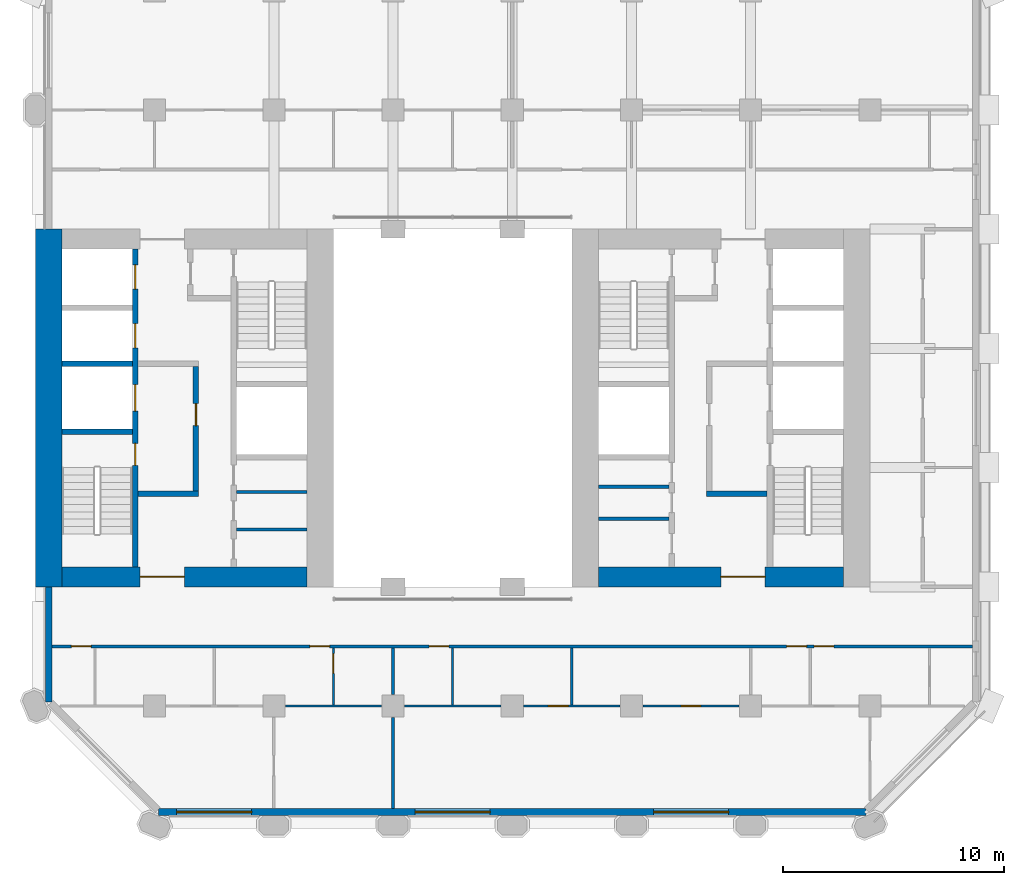
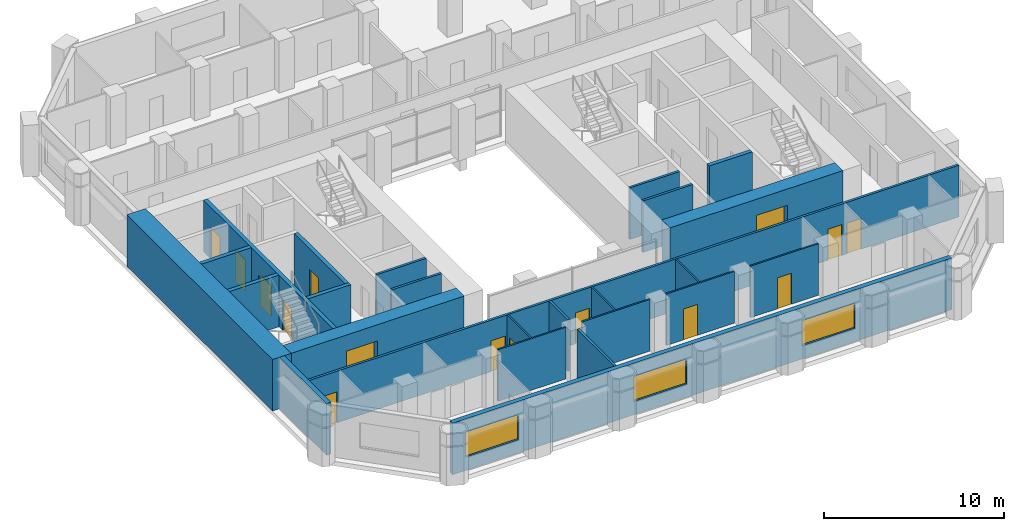
# One storey, part 4 of 10: 25 walls, 15 doors, 3 windows, 18 openings.
"""IFC4 building model written with IfcOpenShell, lengths in metres."""

from ifc_helpers import new_model, si_unit, direction, frame, frame_2d, origin, place, context, subcontext, project, spatial, rectangle, extrude, material, layer, layer_set, type_object, element, fill, save


model = new_model("IFC4")

# Units and contexts
model_context = context("Model", 3, precision=1e-05, world=origin(), true_north=direction((0.0, 1.0)))
body_context = subcontext(model_context, "Body", "Model", "MODEL_VIEW")
ifc_project = project(units=[si_unit("LENGTHUNIT", "METRE"), si_unit("AREAUNIT", "SQUARE_METRE"), si_unit("VOLUMEUNIT", "CUBIC_METRE"), si_unit("PLANEANGLEUNIT", "RADIAN"), si_unit("MASSUNIT", "GRAM", prefix="KILO")], contexts=[model_context])

# Site, building, storey
site_placement = place(None, origin())
site = spatial("IfcSite", under=ifc_project, at=site_placement, CompositionType="ELEMENT")
building_placement = place(site_placement, origin())
building = spatial("IfcBuilding", under=site, at=building_placement, Name="Tabaq Tower and Sports Hall", CompositionType="ELEMENT")
storey_placement = place(building_placement, frame((0.0, 0.0, 87.800048828125)))
storey = spatial("IfcBuildingStorey", under=building, at=storey_placement, Name="L20", CompositionType="ELEMENT", Elevation=87.800048828125)

# Walls
ifc_material_1 = material(Name="Blockwork", Category="masonry")
ifc_layer_1 = layer(ifc_material_1, 0.14990234375)
ifc_layer_set_1 = layer_set([ifc_layer_1], Name="Core room partition 150 Blockwork")
wall_type_1 = type_object("IfcWallType", Name="Core room partition 150 Blockwork", PredefinedType="PARTITIONING", material=ifc_layer_set_1)
for number, where, z_axis, x_axis, name in (
    (1, (14.5, 18.797119140625, 0.0), (0.0, 0.0, 1.0), (1.0, 0.0, 0.0), "Core room partition W L20"),
    (2, (14.5, 20.493896484375, 0.0), (0.0, 0.0, 1.0), (1.0, 0.0, 0.0), "Core room partition W L20"),
):
    element("IfcWall", number, at=place(storey_placement, frame(where, z_axis=z_axis, x_axis=x_axis)), inside=storey, type_object=wall_type_1, Name=name, PredefinedType="PARTITIONING", context=body_context, shape_type="SweptSolid", body=[
        extrude(rectangle(XDim=3.199951171875, YDim=0.14990234375, at=frame_2d((1.60009765625, 0.0))), origin(), (0.0, 0.0, 1.0), 3.5),
    ])
for number, where, z_axis, x_axis, name in (
    (3, (30.89990234375, 19.282958984375, 0.0), (0.0, 0.0, 1.0), (1.0, 0.0, 0.0), "Core room partition E L20"),
    (4, (30.89990234375, 20.738037109375, 0.0), (0.0, 0.0, 1.0), (1.0, 0.0, 0.0), "Core room partition E L20"),
):
    element("IfcWall", number, at=place(storey_placement, frame(where, z_axis=z_axis, x_axis=x_axis)), inside=storey, type_object=wall_type_1, Name=name, PredefinedType="PARTITIONING", context=body_context, shape_type="SweptSolid", body=[
        extrude(rectangle(XDim=3.2001953125, YDim=0.14990234375, at=frame_2d((1.60009765625, 0.0))), origin(), (0.0, 0.0, 1.0), 3.5),
    ])
ifc_material_2 = material(Name="Concrete C60/75", Category="concrete")
ifc_layer_2 = layer(ifc_material_2, 1.199951171875)
ifc_layer_set_2 = layer_set([ifc_layer_2], Name="Core wall 1200 Concrete C60/75")
wall_type_2 = type_object("IfcWallType", Name="Core wall 1200 Concrete C60/75", PredefinedType="SOLIDWALL", material=ifc_layer_set_2)
wall_1_placement = place(storey_placement, frame((6.0, 16.199951171875, 0.0), z_axis=(0.0, 0.0, 1.0), x_axis=(0.0, 1.0, 0.0)))
element("IfcWall", 5, at=wall_1_placement, inside=storey, type_object=wall_type_2, Name="Core wall W L20", PredefinedType="SOLIDWALL", context=body_context, shape_type="SweptSolid", body=[
    extrude(rectangle(XDim=16.199951171875, YDim=1.199951171875, at=frame_2d((8.10009765625, 0.0))), origin(), (0.0, 0.0, 1.0), 3.5),
])

# Wall, opening, door
ifc_material_3 = material(Name="Concrete C60/75", Category="concrete")
ifc_layer_3 = layer(ifc_material_3, 0.89990234375)
ifc_layer_set_3 = layer_set([ifc_layer_3], Name="Core wall 900 Concrete C60/75")
wall_type_3 = type_object("IfcWallType", Name="Core wall 900 Concrete C60/75", PredefinedType="SOLIDWALL", material=ifc_layer_set_3)
wall_2_placement = place(storey_placement, frame((17.699951171875, 16.64990234375, 0.0), z_axis=(0.0, 0.0, 1.0), x_axis=(-1.0, 0.0, 0.0)))
wall_2 = element("IfcWall", 6, at=wall_2_placement, inside=storey, type_object=wall_type_3, Name="Core wall W L20", PredefinedType="SOLIDWALL", context=body_context, shape_type="SweptSolid", body=[
    extrude(rectangle(XDim=11.099853515625, YDim=0.89990234375, at=frame_2d((5.5498046875, 0.0))), origin(), (0.0, 0.0, 1.0), 3.5),
])
opening_1_placement = place(wall_2_placement, frame((5.550048828125, 0.0, 0.0)))
opening_1 = element("IfcOpeningElement", 7, at=opening_1_placement, cuts=wall_2, Name="Opening PD-WL20-01", PredefinedType="OPENING", context=body_context, shape_type="SweptSolid", body=[
    extrude(rectangle(XDim=2.0, YDim=2.39990234375, at=frame_2d((1.0, 1.199951171875))), frame((0.0, 0.449951171875, 0.0), z_axis=(0.0, -1.0, 0.0), x_axis=(1.0, 0.0, 0.0)), (0.0, 0.0, 1.0), 0.89990234375),
])
ifc_material_4 = material(Name="Steel fire door", Category="steel")
door_type_1 = type_object("IfcDoorType", Name="Core entrance door 2000", OperationType="DOUBLE_DOOR_SINGLE_SWING", PredefinedType="DOOR", material=ifc_material_4)
door_1_placement = place(opening_1_placement, origin())
door_1 = element("IfcDoor", 8, at=door_1_placement, inside=storey, type_object=door_type_1, Name="Core entrance south W L20", OperationType="DOUBLE_DOOR_SINGLE_SWING", OverallHeight=2.39990234375, OverallWidth=2.0, PredefinedType="DOOR", context=body_context, shape_type="SweptSolid", body=[
    extrude(rectangle(XDim=2.0, YDim=2.39990234375, at=frame_2d((1.0, 1.199951171875))), frame((0.0, 0.02490234375, 0.0), z_axis=(0.0, -1.0, 0.0), x_axis=(1.0, 0.0, 0.0)), (0.0, 0.0, 1.0), 0.050048828125),
])
fill(opening_1, door_1)

wall_3_placement = place(storey_placement, frame((42.0, 16.64990234375, 0.0), z_axis=(0.0, 0.0, 1.0), x_axis=(-1.0, 0.0, 0.0)))
wall_3 = element("IfcWall", 9, at=wall_3_placement, inside=storey, type_object=wall_type_3, Name="Core wall E L20", PredefinedType="SOLIDWALL", context=body_context, shape_type="SweptSolid", body=[
    extrude(rectangle(XDim=11.10009765625, YDim=0.89990234375, at=frame_2d((5.550048828125, 0.0))), origin(), (0.0, 0.0, 1.0), 3.5),
])
opening_2_placement = place(wall_3_placement, frame((3.550048828125, 0.0, 0.0)))
opening_2 = element("IfcOpeningElement", 10, at=opening_2_placement, cuts=wall_3, Name="Opening PD-EL20-01", PredefinedType="OPENING", context=body_context, shape_type="SweptSolid", body=[
    extrude(rectangle(XDim=2.0, YDim=2.39990234375, at=frame_2d((1.0, 1.199951171875))), frame((0.0, 0.449951171875, 0.0), z_axis=(0.0, -1.0, 0.0), x_axis=(1.0, 0.0, 0.0)), (0.0, 0.0, 1.0), 0.89990234375),
])
door_2_placement = place(opening_2_placement, origin())
door_2 = element("IfcDoor", 11, at=door_2_placement, inside=storey, type_object=door_type_1, Name="Core entrance south E L20", OperationType="DOUBLE_DOOR_SINGLE_SWING", OverallHeight=2.39990234375, OverallWidth=2.0, PredefinedType="DOOR", context=body_context, shape_type="SweptSolid", body=[
    extrude(rectangle(XDim=2.0, YDim=2.39990234375, at=frame_2d((1.0, 1.199951171875))), frame((0.0, 0.02490234375, 0.0), z_axis=(0.0, -1.0, 0.0), x_axis=(1.0, 0.0, 0.0)), (0.0, 0.0, 1.0), 0.050048828125),
])
fill(opening_2, door_2)

ifc_material_5 = material(Name="Gypsum board on steel studs", Category="steel")
ifc_layer_4 = layer(ifc_material_5, 0.10009765625)
ifc_layer_set_4 = layer_set([ifc_layer_4], Name="Partition 100 Gypsum board")
wall_type_4 = type_object("IfcWallType", Name="Partition 100 Gypsum board", PredefinedType="PARTITIONING", material=ifc_layer_set_4)
wall_4_placement = place(storey_placement, frame((18.89990234375, 10.85009765625, 0.0), z_axis=(0.0, 0.0, 1.0), x_axis=(0.0, 1.0, 0.0)))
wall_4 = element("IfcWall", 12, at=wall_4_placement, inside=storey, type_object=wall_type_4, Name="Partition wall L20", PredefinedType="PARTITIONING", context=body_context, shape_type="SweptSolid", body=[
    extrude(rectangle(XDim=2.574951171875, YDim=0.10009765625, at=frame_2d((1.28759765625, 0.0))), origin(), (0.0, 0.0, 1.0), 3.5),
])
opening_3_placement = place(wall_4_placement, frame((1.425048828125, 0.0, 0.0)))
opening_3 = element("IfcOpeningElement", 13, at=opening_3_placement, cuts=wall_4, Name="Opening L20-018", PredefinedType="OPENING", context=body_context, shape_type="SweptSolid", body=[
    extrude(rectangle(XDim=0.89990234375, YDim=2.10009765625, at=frame_2d((0.449951171875, 1.050048828125))), frame((0.0, 0.050048828125, 0.0), z_axis=(0.0, -1.0, 0.0), x_axis=(1.0, 0.0, 0.0)), (0.0, 0.0, 1.0), 0.10009765625),
])
ifc_material_6 = material(Name="Timber leaf in steel frame", Category="steel")
door_type_2 = type_object("IfcDoorType", Name="Internal door 900 right hand", OperationType="SINGLE_SWING_RIGHT", PredefinedType="DOOR", material=ifc_material_6)
door_3_placement = place(opening_3_placement, origin())
door_3 = element("IfcDoor", 14, at=door_3_placement, inside=storey, type_object=door_type_2, Name="Internal door L20-018", OperationType="SINGLE_SWING_RIGHT", OverallHeight=2.10009765625, OverallWidth=0.89990234375, PredefinedType="DOOR", context=body_context, shape_type="SweptSolid", body=[
    extrude(rectangle(XDim=0.89990234375, YDim=2.10009765625, at=frame_2d((0.449951171875, 1.050048828125))), frame((0.0, 0.02490234375, 0.0), z_axis=(0.0, -1.0, 0.0), x_axis=(1.0, 0.0, 0.0)), (0.0, 0.0, 1.0), 0.050048828125),
])
fill(opening_3, door_3)

# Walls
wall_5_placement = place(storey_placement, frame((16.719970703125, 10.800048828125, 0.0), z_axis=(0.0, 0.0, 1.0), x_axis=(1.0, 0.0, 0.0)))
element("IfcWall", 15, at=wall_5_placement, inside=storey, type_object=wall_type_4, Name="Partition wall L20", PredefinedType="PARTITIONING", context=body_context, shape_type="SweptSolid", body=[
    extrude(rectangle(XDim=4.360107421875, YDim=0.10009765625, at=frame_2d((2.18017578125, 0.0))), origin(), (0.0, 0.0, 1.0), 3.5),
])
wall_6_placement = place(storey_placement, frame((24.300048828125, 10.85009765625, 0.0), z_axis=(0.0, 0.0, 1.0), x_axis=(0.0, 1.0, 0.0)))
element("IfcWall", 16, at=wall_6_placement, inside=storey, type_object=wall_type_4, Name="Partition wall L20", PredefinedType="PARTITIONING", context=body_context, shape_type="SweptSolid", body=[
    extrude(rectangle(XDim=2.574951171875, YDim=0.10009765625, at=frame_2d((1.28759765625, 0.0))), origin(), (0.0, 0.0, 1.0), 3.5),
])
wall_7_placement = place(storey_placement, frame((22.1201171875, 10.800048828125, 0.0), z_axis=(0.0, 0.0, 1.0), x_axis=(1.0, 0.0, 0.0)))
element("IfcWall", 17, at=wall_7_placement, inside=storey, type_object=wall_type_4, Name="Partition wall L20", PredefinedType="PARTITIONING", context=body_context, shape_type="SweptSolid", body=[
    extrude(rectangle(XDim=4.35986328125, YDim=0.10009765625, at=frame_2d((2.179931640625, 0.0))), origin(), (0.0, 0.0, 1.0), 3.5),
])
wall_8_placement = place(storey_placement, frame((29.699951171875, 10.85009765625, 0.0), z_axis=(0.0, 0.0, 1.0), x_axis=(0.0, 1.0, 0.0)))
element("IfcWall", 18, at=wall_8_placement, inside=storey, type_object=wall_type_4, Name="Partition wall L20", PredefinedType="PARTITIONING", context=body_context, shape_type="SweptSolid", body=[
    extrude(rectangle(XDim=2.574951171875, YDim=0.10009765625, at=frame_2d((1.28759765625, 0.0))), origin(), (0.0, 0.0, 1.0), 3.5),
])

# Wall, opening, door
wall_9_placement = place(storey_placement, frame((27.52001953125, 10.800048828125, 0.0), z_axis=(0.0, 0.0, 1.0), x_axis=(1.0, 0.0, 0.0)))
wall_9 = element("IfcWall", 19, at=wall_9_placement, inside=storey, type_object=wall_type_4, Name="Partition wall L20", PredefinedType="PARTITIONING", context=body_context, shape_type="SweptSolid", body=[
    extrude(rectangle(XDim=4.35986328125, YDim=0.10009765625, at=frame_2d((2.179931640625, 0.0))), origin(), (0.0, 0.0, 1.0), 3.5),
])
opening_4_placement = place(wall_9_placement, frame((1.110107421875, 0.0, 0.0)))
opening_4 = element("IfcOpeningElement", 20, at=opening_4_placement, cuts=wall_9, Name="Opening L20-020", PredefinedType="OPENING", context=body_context, shape_type="SweptSolid", body=[
    extrude(rectangle(XDim=0.89990234375, YDim=2.10009765625, at=frame_2d((0.449951171875, 1.050048828125))), frame((0.0, 0.050048828125, 0.0), z_axis=(0.0, -1.0, 0.0), x_axis=(1.0, 0.0, 0.0)), (0.0, 0.0, 1.0), 0.10009765625),
])
ifc_material_7 = material(Name="Timber leaf in steel frame", Category="steel")
door_type_3 = type_object("IfcDoorType", Name="Internal door 900 left hand", OperationType="SINGLE_SWING_LEFT", PredefinedType="DOOR", material=ifc_material_7)
door_4_placement = place(opening_4_placement, origin())
door_4 = element("IfcDoor", 21, at=door_4_placement, inside=storey, type_object=door_type_3, Name="Internal door L20-020", OperationType="SINGLE_SWING_LEFT", OverallHeight=2.10009765625, OverallWidth=0.89990234375, PredefinedType="DOOR", context=body_context, shape_type="SweptSolid", body=[
    extrude(rectangle(XDim=0.89990234375, YDim=2.10009765625, at=frame_2d((0.449951171875, 1.050048828125))), frame((0.0, 0.02490234375, 0.0), z_axis=(0.0, -1.0, 0.0), x_axis=(1.0, 0.0, 0.0)), (0.0, 0.0, 1.0), 0.050048828125),
])
fill(opening_4, door_4)

wall_10_placement = place(storey_placement, frame((32.919921875, 10.800048828125, 0.0), z_axis=(0.0, 0.0, 1.0), x_axis=(1.0, 0.0, 0.0)))
wall_10 = element("IfcWall", 22, at=wall_10_placement, inside=storey, type_object=wall_type_4, Name="Partition wall L20", PredefinedType="PARTITIONING", context=body_context, shape_type="SweptSolid", body=[
    extrude(rectangle(XDim=4.360107421875, YDim=0.10009765625, at=frame_2d((2.18017578125, 0.0))), origin(), (0.0, 0.0, 1.0), 3.5),
])
opening_5_placement = place(wall_10_placement, frame((1.72998046875, 0.0, 0.0)))
opening_5 = element("IfcOpeningElement", 23, at=opening_5_placement, cuts=wall_10, Name="Opening L20-021", PredefinedType="OPENING", context=body_context, shape_type="SweptSolid", body=[
    extrude(rectangle(XDim=0.89990234375, YDim=2.10009765625, at=frame_2d((0.449951171875, 1.050048828125))), frame((0.0, 0.050048828125, 0.0), z_axis=(0.0, -1.0, 0.0), x_axis=(1.0, 0.0, 0.0)), (0.0, 0.0, 1.0), 0.10009765625),
])
door_5_placement = place(opening_5_placement, origin())
door_5 = element("IfcDoor", 24, at=door_5_placement, inside=storey, type_object=door_type_3, Name="Internal door L20-021", OperationType="SINGLE_SWING_LEFT", OverallHeight=2.10009765625, OverallWidth=0.89990234375, PredefinedType="DOOR", context=body_context, shape_type="SweptSolid", body=[
    extrude(rectangle(XDim=0.89990234375, YDim=2.10009765625, at=frame_2d((0.449951171875, 1.050048828125))), frame((0.0, 0.02490234375, 0.0), z_axis=(0.0, -1.0, 0.0), x_axis=(1.0, 0.0, 0.0)), (0.0, 0.0, 1.0), 0.050048828125),
])
fill(opening_5, door_5)

# Wall, openings, doors
ifc_material_8 = material(Name="Blockwork", Category="masonry")
ifc_layer_5 = layer(ifc_material_8, 0.14990234375)
ifc_layer_set_5 = layer_set([ifc_layer_5], Name="Separating wall 150 Blockwork")
wall_type_5 = type_object("IfcWallType", Name="Separating wall 150 Blockwork", PredefinedType="PARTITIONING", material=ifc_layer_set_5)
wall_11_placement = place(storey_placement, frame((6.15087890625, 13.5, 0.0), z_axis=(0.0, 0.0, 1.0), x_axis=(1.0, 0.0, 0.0)))
wall_11 = element("IfcWall", 25, at=wall_11_placement, inside=storey, type_object=wall_type_5, Name="Separating wall L20", PredefinedType="PARTITIONING", context=body_context, shape_type="SweptSolid", body=[
    extrude(rectangle(XDim=41.6982421875, YDim=0.14990234375, at=frame_2d((20.84912109375, 0.0))), origin(), (0.0, 0.0, 1.0), 3.5),
])
opening_6_placement = place(wall_11_placement, frame((0.87890625, 0.0, 0.0)))
opening_6 = element("IfcOpeningElement", 26, at=opening_6_placement, cuts=wall_11, Name="Opening L20-003", PredefinedType="OPENING", context=body_context, shape_type="SweptSolid", body=[
    extrude(rectangle(XDim=0.89990234375, YDim=2.10009765625, at=frame_2d((0.449951171875, 1.050048828125))), frame((0.0, 0.074951171875, 0.0), z_axis=(0.0, -1.0, 0.0), x_axis=(1.0, 0.0, 0.0)), (0.0, 0.0, 1.0), 0.14990234375),
])
opening_7_placement = place(wall_11_placement, frame((17.0791015625, 0.0, 0.0)))
opening_7 = element("IfcOpeningElement", 27, at=opening_7_placement, cuts=wall_11, Name="Opening L20-004", PredefinedType="OPENING", context=body_context, shape_type="SweptSolid", body=[
    extrude(rectangle(XDim=0.89990234375, YDim=2.10009765625, at=frame_2d((0.449951171875, 1.050048828125))), frame((0.0, 0.074951171875, 0.0), z_axis=(0.0, -1.0, 0.0), x_axis=(1.0, 0.0, 0.0)), (0.0, 0.0, 1.0), 0.14990234375),
])
opening_8_placement = place(wall_11_placement, frame((33.279052734375, 0.0, 0.0)))
opening_8 = element("IfcOpeningElement", 28, at=opening_8_placement, cuts=wall_11, Name="Opening L20-005", PredefinedType="OPENING", context=body_context, shape_type="SweptSolid", body=[
    extrude(rectangle(XDim=0.89990234375, YDim=2.10009765625, at=frame_2d((0.449951171875, 1.050048828125))), frame((0.0, 0.074951171875, 0.0), z_axis=(0.0, -1.0, 0.0), x_axis=(1.0, 0.0, 0.0)), (0.0, 0.0, 1.0), 0.14990234375),
])
opening_9_placement = place(wall_11_placement, frame((11.678955078125, 0.0, 0.0)))
opening_9 = element("IfcOpeningElement", 29, at=opening_9_placement, cuts=wall_11, Name="Opening L20-028", PredefinedType="OPENING", context=body_context, shape_type="SweptSolid", body=[
    extrude(rectangle(XDim=0.89990234375, YDim=2.10009765625, at=frame_2d((0.449951171875, 1.050048828125))), frame((0.0, 0.074951171875, 0.0), z_axis=(0.0, -1.0, 0.0), x_axis=(1.0, 0.0, 0.0)), (0.0, 0.0, 1.0), 0.14990234375),
])
opening_10_placement = place(wall_11_placement, frame((34.51904296875, 0.0, 0.0)))
opening_10 = element("IfcOpeningElement", 30, at=opening_10_placement, cuts=wall_11, Name="Opening L20-029", PredefinedType="OPENING", context=body_context, shape_type="SweptSolid", body=[
    extrude(rectangle(XDim=0.89990234375, YDim=2.10009765625, at=frame_2d((0.449951171875, 1.050048828125))), frame((0.0, 0.074951171875, 0.0), z_axis=(0.0, -1.0, 0.0), x_axis=(1.0, 0.0, 0.0)), (0.0, 0.0, 1.0), 0.14990234375),
])
ifc_material_9 = material(Name="Steel fire door", Category="steel")
door_type_4 = type_object("IfcDoorType", Name="Entrance door 900 left hand", OperationType="SINGLE_SWING_LEFT", PredefinedType="DOOR", material=ifc_material_9)
door_6_placement = place(opening_6_placement, origin())
door_6 = element("IfcDoor", 31, at=door_6_placement, inside=storey, type_object=door_type_4, Name="Entrance door L20-003", OperationType="SINGLE_SWING_LEFT", OverallHeight=2.10009765625, OverallWidth=0.89990234375, PredefinedType="DOOR", context=body_context, shape_type="SweptSolid", body=[
    extrude(rectangle(XDim=0.89990234375, YDim=2.10009765625, at=frame_2d((0.449951171875, 1.050048828125))), frame((0.0, 0.02490234375, 0.0), z_axis=(0.0, -1.0, 0.0), x_axis=(1.0, 0.0, 0.0)), (0.0, 0.0, 1.0), 0.050048828125),
])
fill(opening_6, door_6)
door_7_placement = place(opening_7_placement, origin())
door_7 = element("IfcDoor", 32, at=door_7_placement, inside=storey, type_object=door_type_4, Name="Entrance door L20-004", OperationType="SINGLE_SWING_LEFT", OverallHeight=2.10009765625, OverallWidth=0.89990234375, PredefinedType="DOOR", context=body_context, shape_type="SweptSolid", body=[
    extrude(rectangle(XDim=0.89990234375, YDim=2.10009765625, at=frame_2d((0.449951171875, 1.050048828125))), frame((0.0, 0.02490234375, 0.0), z_axis=(0.0, -1.0, 0.0), x_axis=(1.0, 0.0, 0.0)), (0.0, 0.0, 1.0), 0.050048828125),
])
fill(opening_7, door_7)
door_8_placement = place(opening_8_placement, origin())
door_8 = element("IfcDoor", 33, at=door_8_placement, inside=storey, type_object=door_type_4, Name="Entrance door L20-005", OperationType="SINGLE_SWING_LEFT", OverallHeight=2.10009765625, OverallWidth=0.89990234375, PredefinedType="DOOR", context=body_context, shape_type="SweptSolid", body=[
    extrude(rectangle(XDim=0.89990234375, YDim=2.10009765625, at=frame_2d((0.449951171875, 1.050048828125))), frame((0.0, 0.02490234375, 0.0), z_axis=(0.0, -1.0, 0.0), x_axis=(1.0, 0.0, 0.0)), (0.0, 0.0, 1.0), 0.050048828125),
])
fill(opening_8, door_8)
door_9_placement = place(opening_9_placement, origin())
door_9 = element("IfcDoor", 34, at=door_9_placement, inside=storey, type_object=door_type_4, Name="Entrance door L20-028", OperationType="SINGLE_SWING_LEFT", OverallHeight=2.10009765625, OverallWidth=0.89990234375, PredefinedType="DOOR", context=body_context, shape_type="SweptSolid", body=[
    extrude(rectangle(XDim=0.89990234375, YDim=2.10009765625, at=frame_2d((0.449951171875, 1.050048828125))), frame((0.0, 0.02490234375, 0.0), z_axis=(0.0, -1.0, 0.0), x_axis=(1.0, 0.0, 0.0)), (0.0, 0.0, 1.0), 0.050048828125),
])
fill(opening_9, door_9)
ifc_material_10 = material(Name="Steel fire door", Category="steel")
door_type_5 = type_object("IfcDoorType", Name="Entrance door 900 right hand", OperationType="SINGLE_SWING_RIGHT", PredefinedType="DOOR", material=ifc_material_10)
door_10_placement = place(opening_10_placement, origin())
door_10 = element("IfcDoor", 35, at=door_10_placement, inside=storey, type_object=door_type_5, Name="Entrance door L20-029", OperationType="SINGLE_SWING_RIGHT", OverallHeight=2.10009765625, OverallWidth=0.89990234375, PredefinedType="DOOR", context=body_context, shape_type="SweptSolid", body=[
    extrude(rectangle(XDim=0.89990234375, YDim=2.10009765625, at=frame_2d((0.449951171875, 1.050048828125))), frame((0.0, 0.02490234375, 0.0), z_axis=(0.0, -1.0, 0.0), x_axis=(1.0, 0.0, 0.0)), (0.0, 0.0, 1.0), 0.050048828125),
])
fill(opening_10, door_10)

# Walls
wall_12_placement = place(storey_placement, frame((21.60009765625, 11.320068359375, 0.0), z_axis=(0.0, 0.0, 1.0), x_axis=(0.0, 1.0, 0.0)))
element("IfcWall", 36, at=wall_12_placement, inside=storey, type_object=wall_type_5, Name="Separating wall L20", PredefinedType="PARTITIONING", context=body_context, shape_type="SweptSolid", body=[
    extrude(rectangle(XDim=2.10498046875, YDim=0.14990234375, at=frame_2d((1.052490234375, 0.0))), origin(), (0.0, 0.0, 1.0), 3.5),
])
wall_13_placement = place(storey_placement, frame((21.60009765625, 6.15087890625, 0.0), z_axis=(0.0, 0.0, 1.0), x_axis=(0.0, 1.0, 0.0)))
element("IfcWall", 37, at=wall_13_placement, inside=storey, type_object=wall_type_5, Name="Separating wall L20", PredefinedType="PARTITIONING", context=body_context, shape_type="SweptSolid", body=[
    extrude(rectangle(XDim=4.129150390625, YDim=0.14990234375, at=frame_2d((2.064453125, 0.0))), origin(), (0.0, 0.0, 1.0), 3.5),
])

# Wall, openings, doors
ifc_material_11 = material(Name="Concrete C40/50", Category="concrete")
ifc_layer_6 = layer(ifc_material_11, 0.25)
ifc_layer_set_6 = layer_set([ifc_layer_6], Name="Shaft and stair wall 250 Concrete C40/50")
wall_type_6 = type_object("IfcWallType", Name="Shaft and stair wall 250 Concrete C40/50", PredefinedType="SOLIDWALL", material=ifc_layer_set_6)
wall_14_placement = place(storey_placement, frame((9.925048828125, 17.10009765625, 0.0), z_axis=(0.0, 0.0, 1.0), x_axis=(0.0, 1.0, 0.0)))
wall_14 = element("IfcWall", 38, at=wall_14_placement, inside=storey, type_object=wall_type_6, Name="Shaft wall W L20", PredefinedType="SOLIDWALL", context=body_context, shape_type="SweptSolid", body=[
    extrude(rectangle(XDim=14.39990234375, YDim=0.25, at=frame_2d((7.199951171875, 0.0))), origin(), (0.0, 0.0, 1.0), 3.5),
])
opening_11_placement = place(wall_14_placement, frame((4.60009765625, 0.0, 0.0)))
opening_11 = element("IfcOpeningElement", 39, at=opening_11_placement, cuts=wall_14, Name="Opening SD-WL20-03", PredefinedType="OPENING", context=body_context, shape_type="SweptSolid", body=[
    extrude(rectangle(XDim=1.0, YDim=2.10009765625, at=frame_2d((0.5, 1.050048828125))), frame((0.0, 0.125, 0.0), z_axis=(0.0, -1.0, 0.0), x_axis=(1.0, 0.0, 0.0)), (0.0, 0.0, 1.0), 0.25),
])
opening_12_placement = place(wall_14_placement, frame((7.0625, 0.0, 0.0)))
opening_12 = element("IfcOpeningElement", 40, at=opening_12_placement, cuts=wall_14, Name="Opening LD-FF1-L20", PredefinedType="OPENING", context=body_context, shape_type="SweptSolid", body=[
    extrude(rectangle(XDim=1.199951171875, YDim=2.10009765625, at=frame_2d((0.60009765625, 1.050048828125))), frame((0.0, 0.125, 0.0), z_axis=(0.0, -1.0, 0.0), x_axis=(1.0, 0.0, 0.0)), (0.0, 0.0, 1.0), 0.25),
])
opening_13_placement = place(wall_14_placement, frame((9.925048828125, 0.0, 0.0)))
opening_13 = element("IfcOpeningElement", 41, at=opening_13_placement, cuts=wall_14, Name="Opening LD-LR1-L20", PredefinedType="OPENING", context=body_context, shape_type="SweptSolid", body=[
    extrude(rectangle(XDim=1.10009765625, YDim=2.10009765625, at=frame_2d((0.550048828125, 1.050048828125))), frame((0.0, 0.125, 0.0), z_axis=(0.0, -1.0, 0.0), x_axis=(1.0, 0.0, 0.0)), (0.0, 0.0, 1.0), 0.25),
])
opening_14_placement = place(wall_14_placement, frame((12.58740234375, 0.0, 0.0)))
opening_14 = element("IfcOpeningElement", 42, at=opening_14_placement, cuts=wall_14, Name="Opening LD-LR2-L20", PredefinedType="OPENING", context=body_context, shape_type="SweptSolid", body=[
    extrude(rectangle(XDim=1.10009765625, YDim=2.10009765625, at=frame_2d((0.550048828125, 1.050048828125))), frame((0.0, 0.125, 0.0), z_axis=(0.0, -1.0, 0.0), x_axis=(1.0, 0.0, 0.0)), (0.0, 0.0, 1.0), 0.25),
])
ifc_material_12 = material(Name="Stainless steel", Category="steel")
door_type_6 = type_object("IfcDoorType", Name="Lift landing door 1100", OperationType="DOUBLE_DOOR_SLIDING", PredefinedType="DOOR", material=ifc_material_12)
door_11_placement = place(opening_13_placement, origin())
door_11 = element("IfcDoor", 43, at=door_11_placement, inside=storey, type_object=door_type_6, Name="Lift landing door LR1 W L20", OperationType="DOUBLE_DOOR_SLIDING", OverallHeight=2.10009765625, OverallWidth=1.10009765625, PredefinedType="DOOR", context=body_context, shape_type="SweptSolid", body=[
    extrude(rectangle(XDim=1.10009765625, YDim=2.10009765625, at=frame_2d((0.550048828125, 1.050048828125))), frame((0.0, 0.02490234375, 0.0), z_axis=(0.0, -1.0, 0.0), x_axis=(1.0, 0.0, 0.0)), (0.0, 0.0, 1.0), 0.050048828125),
])
fill(opening_13, door_11)
door_12_placement = place(opening_14_placement, origin())
door_12 = element("IfcDoor", 44, at=door_12_placement, inside=storey, type_object=door_type_6, Name="Lift landing door LR2 W L20", OperationType="DOUBLE_DOOR_SLIDING", OverallHeight=2.10009765625, OverallWidth=1.10009765625, PredefinedType="DOOR", context=body_context, shape_type="SweptSolid", body=[
    extrude(rectangle(XDim=1.10009765625, YDim=2.10009765625, at=frame_2d((0.550048828125, 1.050048828125))), frame((0.0, 0.02490234375, 0.0), z_axis=(0.0, -1.0, 0.0), x_axis=(1.0, 0.0, 0.0)), (0.0, 0.0, 1.0), 0.050048828125),
])
fill(opening_14, door_12)
ifc_material_13 = material(Name="Stainless steel", Category="steel")
door_type_7 = type_object("IfcDoorType", Name="Lift landing door 1200", OperationType="DOUBLE_DOOR_SLIDING", PredefinedType="DOOR", material=ifc_material_13)
door_13_placement = place(opening_12_placement, origin())
door_13 = element("IfcDoor", 45, at=door_13_placement, inside=storey, type_object=door_type_7, Name="Lift landing door FF1 W L20", OperationType="DOUBLE_DOOR_SLIDING", OverallHeight=2.10009765625, OverallWidth=1.199951171875, PredefinedType="DOOR", context=body_context, shape_type="SweptSolid", body=[
    extrude(rectangle(XDim=1.199951171875, YDim=2.10009765625, at=frame_2d((0.60009765625, 1.050048828125))), frame((0.0, 0.02490234375, 0.0), z_axis=(0.0, -1.0, 0.0), x_axis=(1.0, 0.0, 0.0)), (0.0, 0.0, 1.0), 0.050048828125),
])
fill(opening_12, door_13)
ifc_material_14 = material(Name="Steel fire door", Category="steel")
door_type_8 = type_object("IfcDoorType", Name="Stair door 1000", OperationType="SINGLE_SWING_LEFT", PredefinedType="DOOR", material=ifc_material_14)
door_14_placement = place(opening_11_placement, origin())
door_14 = element("IfcDoor", 46, at=door_14_placement, inside=storey, type_object=door_type_8, Name="Stair door ST1 W L20", OperationType="SINGLE_SWING_LEFT", OverallHeight=2.10009765625, OverallWidth=1.0, PredefinedType="DOOR", context=body_context, shape_type="SweptSolid", body=[
    extrude(rectangle(XDim=1.0, YDim=2.10009765625, at=frame_2d((0.5, 1.050048828125))), frame((0.0, 0.02490234375, 0.0), z_axis=(0.0, -1.0, 0.0), x_axis=(1.0, 0.0, 0.0)), (0.0, 0.0, 1.0), 0.050048828125),
])
fill(opening_11, door_14)

# Walls
for number, where, z_axis, x_axis, name in (
    (47, (6.60009765625, 23.22509765625, 0.0), (0.0, 0.0, 1.0), (1.0, 0.0, 0.0), "Stair enclosure wall W L20"),
    (48, (6.60009765625, 26.300048828125, 0.0), (0.0, 0.0, 1.0), (1.0, 0.0, 0.0), "Shaft wall W L20"),
):
    element("IfcWall", number, at=place(storey_placement, frame(where, z_axis=z_axis, x_axis=x_axis)), inside=storey, type_object=wall_type_6, Name=name, PredefinedType="SOLIDWALL", context=body_context, shape_type="SweptSolid", body=[
        extrude(rectangle(XDim=3.199951171875, YDim=0.25, at=frame_2d((1.60009765625, 0.0))), origin(), (0.0, 0.0, 1.0), 3.5),
    ])
wall_15_placement = place(storey_placement, frame((10.050048828125, 20.425048828125, 0.0), z_axis=(0.0, 0.0, 1.0), x_axis=(1.0, 0.0, 0.0)))
element("IfcWall", 49, at=wall_15_placement, inside=storey, type_object=wall_type_6, Name="Fire-fighting lobby wall W L20", PredefinedType="SOLIDWALL", context=body_context, shape_type="SweptSolid", body=[
    extrude(rectangle(XDim=2.75, YDim=0.25, at=frame_2d((1.375, 0.0))), origin(), (0.0, 0.0, 1.0), 3.5),
])

# Wall, opening, door
wall_16_placement = place(storey_placement, frame((12.675048828125, 20.550048828125, 0.0), z_axis=(0.0, 0.0, 1.0), x_axis=(0.0, 1.0, 0.0)))
wall_16 = element("IfcWall", 50, at=wall_16_placement, inside=storey, type_object=wall_type_6, Name="Fire-fighting lobby wall W L20", PredefinedType="SOLIDWALL", context=body_context, shape_type="SweptSolid", body=[
    extrude(rectangle(XDim=5.625, YDim=0.25, at=frame_2d((2.8125, 0.0))), origin(), (0.0, 0.0, 1.0), 3.5),
])
opening_15_placement = place(wall_16_placement, frame((2.949951171875, 0.0, 0.0)))
opening_15 = element("IfcOpeningElement", 51, at=opening_15_placement, cuts=wall_16, Name="Opening FD-WL20-04", PredefinedType="OPENING", context=body_context, shape_type="SweptSolid", body=[
    extrude(rectangle(XDim=1.0, YDim=2.10009765625, at=frame_2d((0.5, 1.050048828125))), frame((0.0, 0.125, 0.0), z_axis=(0.0, -1.0, 0.0), x_axis=(1.0, 0.0, 0.0)), (0.0, 0.0, 1.0), 0.25),
])
ifc_material_15 = material(Name="Steel fire door", Category="steel")
door_type_9 = type_object("IfcDoorType", Name="Fire-fighting lobby door 1000", OperationType="SINGLE_SWING_LEFT", PredefinedType="DOOR", material=ifc_material_15)
door_15_placement = place(opening_15_placement, origin())
door_15 = element("IfcDoor", 52, at=door_15_placement, inside=storey, type_object=door_type_9, Name="Fire-fighting lobby door W L20", OperationType="SINGLE_SWING_LEFT", OverallHeight=2.10009765625, OverallWidth=1.0, PredefinedType="DOOR", context=body_context, shape_type="SweptSolid", body=[
    extrude(rectangle(XDim=1.0, YDim=2.10009765625, at=frame_2d((0.5, 1.050048828125))), frame((0.0, 0.02490234375, 0.0), z_axis=(0.0, -1.0, 0.0), x_axis=(1.0, 0.0, 0.0)), (0.0, 0.0, 1.0), 0.050048828125),
])
fill(opening_15, door_15)

# Wall
wall_17_placement = place(storey_placement, frame((35.800048828125, 20.425048828125, 0.0), z_axis=(0.0, 0.0, 1.0), x_axis=(1.0, 0.0, 0.0)))
element("IfcWall", 53, at=wall_17_placement, inside=storey, type_object=wall_type_6, Name="Fire-fighting lobby wall E L20", PredefinedType="SOLIDWALL", context=body_context, shape_type="SweptSolid", body=[
    extrude(rectangle(XDim=2.75, YDim=0.25, at=frame_2d((1.375, 0.0))), origin(), (0.0, 0.0, 1.0), 3.5),
])

# Wall, openings, windows
ifc_material_16 = material(Name="White precast concrete C60/75", Category="concrete")
ifc_layer_7 = layer(ifc_material_16, 0.300048828125)
ifc_layer_set_7 = layer_set([ifc_layer_7], Name="White precast concrete C60/75 external wall 300")
wall_type_7 = type_object("IfcWallType", Name="White precast concrete C60/75 external wall 300", PredefinedType="SOLIDWALL", material=ifc_layer_set_7)
wall_18_placement = place(storey_placement, frame((10.986328125, 6.0, 0.0), z_axis=(0.0, 0.0, 1.0), x_axis=(1.0, 0.0, 0.0)))
wall_18 = element("IfcWall", 54, at=wall_18_placement, inside=storey, type_object=wall_type_7, Name="External Wall L20 S", PredefinedType="SOLIDWALL", context=body_context, shape_type="SweptSolid", body=[
    extrude(rectangle(XDim=32.02734375, YDim=0.300048828125, at=frame_2d((16.013671875, 0.0))), origin(), (0.0, 0.0, 1.0), 3.5),
])
opening_16_placement = place(wall_18_placement, frame((0.813720703125, 0.0, 0.89990234375)))
opening_16 = element("IfcOpeningElement", 55, at=opening_16_placement, cuts=wall_18, Name="Opening W1A", PredefinedType="OPENING", context=body_context, shape_type="SweptSolid", body=[
    extrude(rectangle(XDim=3.39990234375, YDim=1.699951171875, at=frame_2d((1.699951171875, 0.85009765625))), frame((0.0, 0.16015625, 0.0), z_axis=(0.0, -1.0, 0.0), x_axis=(1.0, 0.0, 0.0)), (0.0, 0.0, 1.0), 0.320068359375),
])
opening_17_placement = place(wall_18_placement, frame((11.613525390625, 0.0, 0.89990234375)))
opening_17 = element("IfcOpeningElement", 56, at=opening_17_placement, cuts=wall_18, Name="Opening W1A", PredefinedType="OPENING", context=body_context, shape_type="SweptSolid", body=[
    extrude(rectangle(XDim=3.39990234375, YDim=1.699951171875, at=frame_2d((1.699951171875, 0.85009765625))), frame((0.0, 0.16015625, 0.0), z_axis=(0.0, -1.0, 0.0), x_axis=(1.0, 0.0, 0.0)), (0.0, 0.0, 1.0), 0.320068359375),
])
opening_18_placement = place(wall_18_placement, frame((22.41357421875, 0.0, 0.89990234375)))
opening_18 = element("IfcOpeningElement", 57, at=opening_18_placement, cuts=wall_18, Name="Opening W1A", PredefinedType="OPENING", context=body_context, shape_type="SweptSolid", body=[
    extrude(rectangle(XDim=3.39990234375, YDim=1.699951171875, at=frame_2d((1.699951171875, 0.85009765625))), frame((0.0, 0.16015625, 0.0), z_axis=(0.0, -1.0, 0.0), x_axis=(1.0, 0.0, 0.0)), (0.0, 0.0, 1.0), 0.320068359375),
])
ifc_material_17 = material(Name="Aluminium framed clear glazing", Category="aluminium")
window_type = type_object("IfcWindowType", Name="Window W1A", PartitioningType="SINGLE_PANEL", PredefinedType="WINDOW", material=ifc_material_17)
window_1_placement = place(opening_16_placement, origin())
window_1 = element("IfcWindow", 58, at=window_1_placement, inside=storey, type_object=window_type, Name="Window W1A L20", OverallHeight=1.699951171875, OverallWidth=3.39990234375, PartitioningType="SINGLE_PANEL", PredefinedType="WINDOW", context=body_context, shape_type="SweptSolid", body=[
    extrude(rectangle(XDim=3.39990234375, YDim=1.699951171875, at=frame_2d((1.699951171875, 0.85009765625))), frame((0.0, 0.030029296875, 0.0), z_axis=(0.0, -1.0, 0.0), x_axis=(1.0, 0.0, 0.0)), (0.0, 0.0, 1.0), 0.06005859375),
])
fill(opening_16, window_1)
window_2_placement = place(opening_17_placement, origin())
window_2 = element("IfcWindow", 59, at=window_2_placement, inside=storey, type_object=window_type, Name="Window W1A L20", OverallHeight=1.699951171875, OverallWidth=3.39990234375, PartitioningType="SINGLE_PANEL", PredefinedType="WINDOW", context=body_context, shape_type="SweptSolid", body=[
    extrude(rectangle(XDim=3.39990234375, YDim=1.699951171875, at=frame_2d((1.699951171875, 0.85009765625))), frame((0.0, 0.030029296875, 0.0), z_axis=(0.0, -1.0, 0.0), x_axis=(1.0, 0.0, 0.0)), (0.0, 0.0, 1.0), 0.06005859375),
])
fill(opening_17, window_2)
window_3_placement = place(opening_18_placement, origin())
window_3 = element("IfcWindow", 60, at=window_3_placement, inside=storey, type_object=window_type, Name="Window W1A L20", OverallHeight=1.699951171875, OverallWidth=3.39990234375, PartitioningType="SINGLE_PANEL", PredefinedType="WINDOW", context=body_context, shape_type="SweptSolid", body=[
    extrude(rectangle(XDim=3.39990234375, YDim=1.699951171875, at=frame_2d((1.699951171875, 0.85009765625))), frame((0.0, 0.030029296875, 0.0), z_axis=(0.0, -1.0, 0.0), x_axis=(1.0, 0.0, 0.0)), (0.0, 0.0, 1.0), 0.06005859375),
])
fill(opening_18, window_3)

# Wall
wall_19_placement = place(storey_placement, frame((6.0, 16.199951171875, 0.0), z_axis=(0.0, 0.0, 1.0), x_axis=(0.0, -1.0, 0.0)))
element("IfcWall", 61, at=wall_19_placement, inside=storey, type_object=wall_type_7, Name="External Wall L20 W", PredefinedType="SOLIDWALL", context=body_context, shape_type="SweptSolid", body=[
    extrude(rectangle(XDim=5.213623046875, YDim=0.300048828125, at=frame_2d((2.60693359375, 0.0))), origin(), (0.0, 0.0, 1.0), 3.5),
])

save(model, "model.ifc")
